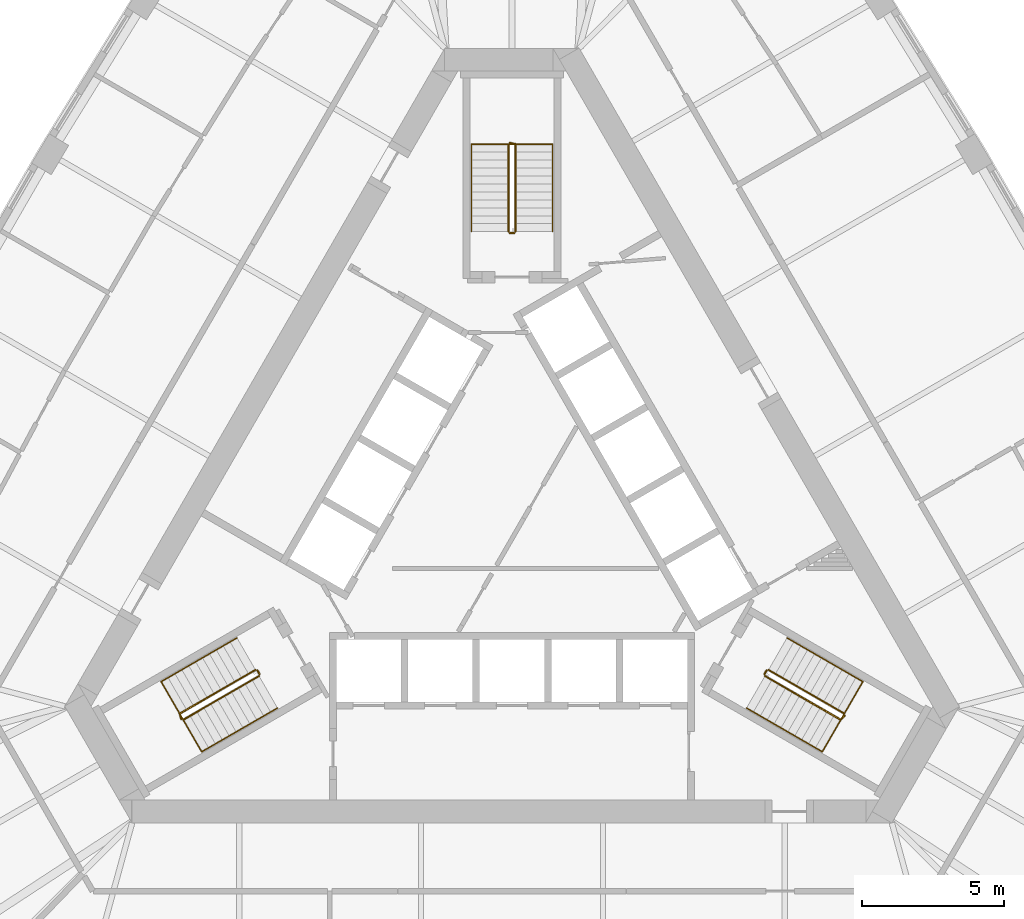
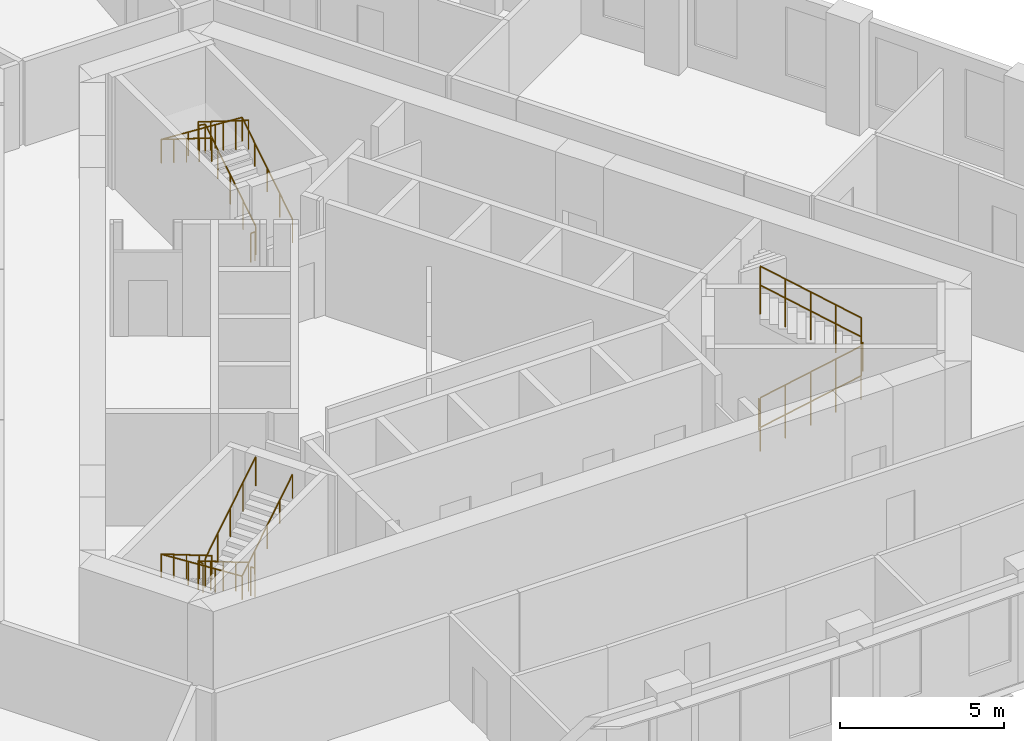
# One storey, part 11 of 11: 12 railings.
"""IFC4 building model written with IfcOpenShell, lengths in metres."""

from ifc_helpers import new_model, si_unit, direction, frame, origin, origin_2d, place, context, subcontext, project, spatial, circle, extrude, material, type_object, element, save


model = new_model("IFC4")

# Units and contexts
model_context = context("Model", 3, precision=1e-05, world=origin(), true_north=direction((0.0, 1.0)))
body_context = subcontext(model_context, "Body", "Model", "MODEL_VIEW")
ifc_project = project(units=[si_unit("LENGTHUNIT", "METRE"), si_unit("AREAUNIT", "SQUARE_METRE"), si_unit("VOLUMEUNIT", "CUBIC_METRE"), si_unit("PLANEANGLEUNIT", "RADIAN"), si_unit("MASSUNIT", "GRAM", prefix="KILO")], contexts=[model_context])

# Site, building, storey
site_placement = place(None, origin())
site = spatial("IfcSite", under=ifc_project, at=site_placement, CompositionType="ELEMENT")
building_placement = place(site_placement, origin())
building = spatial("IfcBuilding", under=site, at=building_placement, Name="Mestral Congress Tower", CompositionType="ELEMENT")
storey_placement = place(building_placement, frame((0.0, 0.0, 171.0)))
storey = spatial("IfcBuildingStorey", under=building, at=storey_placement, Name="L40", CompositionType="ELEMENT", Elevation=171.0)

# Railings
ifc_material_1 = material(Name="Steel balustrade", Category="steel")
railing_type_1 = type_object("IfcRailingType", Name="Stair guard 1100", PredefinedType="GUARDRAIL", material=ifc_material_1)
railing_1_placement = place(storey_placement, frame((8.90087890625, -5.283203125, 0.175048828125)))
element("IfcRailing", 1, at=railing_1_placement, inside=storey, type_object=railing_type_1, Name="L40 ST1 stair guard 1", PredefinedType="GUARDRAIL", context=body_context, shape_type="SweptSolid", body=[
    extrude(circle(Radius=0.02392578125, at=origin_2d()), frame((0.0, 0.0, 1.076171875), z_axis=(0.734364028329, -0.424015404183, 0.530019255228), x_axis=(0.500026652407, 0.866010015463, 0.0)), (0.0, 0.0, 1.0), 3.632080078125),
    extrude(circle(Radius=0.02392578125, at=origin_2d()), frame((2.667236328125, -1.5400390625, 3.0009765625), z_axis=(0.695164929852, 0.718850276695, 0.0), x_axis=(-0.718850276695, 0.695164929852, 0.0)), (0.0, 0.0, 1.0), 0.2060546875),
    extrude(circle(Radius=0.02099609375, at=origin_2d()), origin(), (0.0, 0.0, 1.0), 1.052001953125),
    extrude(circle(Radius=0.02099609375, at=origin_2d()), frame((0.666748046875, -0.385009765625, 0.481201171875)), (0.0, 0.0, 1.0), 1.052001953125),
    extrude(circle(Radius=0.02099609375, at=origin_2d()), frame((1.33349609375, -0.77001953125, 0.96240234375)), (0.0, 0.0, 1.0), 1.052001953125),
    extrude(circle(Radius=0.02099609375, at=origin_2d()), frame((2.00048828125, -1.155029296875, 1.44384765625)), (0.0, 0.0, 1.0), 1.052001953125),
    extrude(circle(Radius=0.02099609375, at=origin_2d()), frame((2.667236328125, -1.5400390625, 1.925048828125)), (0.0, 0.0, 1.0), 1.052001953125),
    extrude(circle(Radius=0.02099609375, at=origin_2d()), frame((2.810546875, -1.391845703125, 1.925048828125)), (0.0, 0.0, 1.0), 1.052001953125),
])
railing_2_placement = place(storey_placement, frame((11.693115234375, -6.606689453125, 2.27490234375)))
element("IfcRailing", 2, at=railing_2_placement, inside=storey, type_object=railing_type_1, Name="L40 ST1 stair guard 2", PredefinedType="GUARDRAIL", context=body_context, shape_type="SweptSolid", body=[
    extrude(circle(Radius=0.02392578125, at=origin_2d()), frame((0.0, 0.0, 1.076171875), z_axis=(-0.734364028329, 0.424015404183, 0.530019255228), x_axis=(-0.500026652407, -0.866010015463, 0.0)), (0.0, 0.0, 1.0), 3.632080078125),
    extrude(circle(Radius=0.02099609375, at=origin_2d()), origin(), (0.0, 0.0, 1.0), 1.052001953125),
    extrude(circle(Radius=0.02099609375, at=origin_2d()), frame((-0.666748046875, 0.385009765625, 0.481201171875)), (0.0, 0.0, 1.0), 1.052001953125),
    extrude(circle(Radius=0.02099609375, at=origin_2d()), frame((-1.33349609375, 0.77001953125, 0.96240234375)), (0.0, 0.0, 1.0), 1.052001953125),
    extrude(circle(Radius=0.02099609375, at=origin_2d()), frame((-2.00048828125, 1.155029296875, 1.44384765625)), (0.0, 0.0, 1.0), 1.052001953125),
    extrude(circle(Radius=0.02099609375, at=origin_2d()), frame((-2.667236328125, 1.5400390625, 1.925048828125)), (0.0, 0.0, 1.0), 1.052001953125),
])
railing_3_placement = place(storey_placement, frame((8.882568359375, -5.21484375, 0.0)))
element("IfcRailing", 3, at=railing_3_placement, inside=storey, type_object=railing_type_1, Name="L40 ST1 stair guard 3", PredefinedType="GUARDRAIL", context=body_context, shape_type="SweptSolid", body=[
    extrude(circle(Radius=0.02392578125, at=origin_2d()), frame((0.0, 0.0, 1.076171875), z_axis=(0.499816412211, 0.866131372301, 0.0), x_axis=(-0.866131372301, 0.499816412211, 0.0)), (0.0, 0.0, 1.0), 0.14990234375),
    extrude(circle(Radius=0.02099609375, at=origin_2d()), origin(), (0.0, 0.0, 1.0), 1.052001953125),
    extrude(circle(Radius=0.02099609375, at=origin_2d()), frame((0.074951171875, 0.1298828125, 0.0)), (0.0, 0.0, 1.0), 1.052001953125),
])
railing_4_placement = place(storey_placement, frame((0.125, 10.35009765625, 0.175048828125)))
element("IfcRailing", 4, at=railing_4_placement, inside=storey, type_object=railing_type_1, Name="L40 ST2 stair guard 1", PredefinedType="GUARDRAIL", context=body_context, shape_type="SweptSolid", body=[
    extrude(circle(Radius=0.02392578125, at=origin_2d()), frame((0.0, 0.0, 1.076171875), z_axis=(0.0, 0.847979421464, 0.530029150871), x_axis=(-1.0, 0.0, 0.0)), (0.0, 0.0, 1.0), 3.632080078125),
    extrude(circle(Radius=0.02392578125, at=origin_2d()), frame((0.0, 3.079833984375, 3.0009765625), z_axis=(-0.970072785993, 0.242814311512, 0.0), x_axis=(-0.242814311512, -0.970072785993, 0.0)), (0.0, 0.0, 1.0), 0.2060546875),
    extrude(circle(Radius=0.02099609375, at=origin_2d()), origin(), (0.0, 0.0, 1.0), 1.052001953125),
    extrude(circle(Radius=0.02099609375, at=origin_2d()), frame((0.0, 0.77001953125, 0.481201171875)), (0.0, 0.0, 1.0), 1.052001953125),
    extrude(circle(Radius=0.02099609375, at=origin_2d()), frame((0.0, 1.5400390625, 0.96240234375)), (0.0, 0.0, 1.0), 1.052001953125),
    extrude(circle(Radius=0.02099609375, at=origin_2d()), frame((0.0, 2.309814453125, 1.44384765625)), (0.0, 0.0, 1.0), 1.052001953125),
    extrude(circle(Radius=0.02099609375, at=origin_2d()), frame((0.0, 3.079833984375, 1.925048828125)), (0.0, 0.0, 1.0), 1.052001953125),
    extrude(circle(Radius=0.02099609375, at=origin_2d()), frame((-0.199951171875, 3.1298828125, 1.925048828125)), (0.0, 0.0, 1.0), 1.052001953125),
])
railing_5_placement = place(storey_placement, frame((-0.125, 13.429931640625, 2.27490234375)))
element("IfcRailing", 5, at=railing_5_placement, inside=storey, type_object=railing_type_1, Name="L40 ST2 stair guard 2", PredefinedType="GUARDRAIL", context=body_context, shape_type="SweptSolid", body=[
    extrude(circle(Radius=0.02392578125, at=origin_2d()), frame((0.0, 0.0, 1.076171875), z_axis=(0.0, -0.847979421464, 0.530029150871), x_axis=(1.0, 0.0, 0.0)), (0.0, 0.0, 1.0), 3.632080078125),
    extrude(circle(Radius=0.02099609375, at=origin_2d()), origin(), (0.0, 0.0, 1.0), 1.052001953125),
    extrude(circle(Radius=0.02099609375, at=origin_2d()), frame((0.0, -0.77001953125, 0.481201171875)), (0.0, 0.0, 1.0), 1.052001953125),
    extrude(circle(Radius=0.02099609375, at=origin_2d()), frame((0.0, -1.5400390625, 0.96240234375)), (0.0, 0.0, 1.0), 1.052001953125),
    extrude(circle(Radius=0.02099609375, at=origin_2d()), frame((0.0, -2.309814453125, 1.44384765625)), (0.0, 0.0, 1.0), 1.052001953125),
    extrude(circle(Radius=0.02099609375, at=origin_2d()), frame((0.0, -3.079833984375, 1.925048828125)), (0.0, 0.0, 1.0), 1.052001953125),
])
railing_6_placement = place(storey_placement, frame((0.074951171875, 10.300048828125, 0.0)))
element("IfcRailing", 6, at=railing_6_placement, inside=storey, type_object=railing_type_1, Name="L40 ST2 stair guard 3", PredefinedType="GUARDRAIL", context=body_context, shape_type="SweptSolid", body=[
    extrude(circle(Radius=0.02392578125, at=origin_2d()), frame((0.0, 0.0, 1.076171875), z_axis=(-1.0, 0.0, 0.0), x_axis=(0.0, -1.0, 0.0)), (0.0, 0.0, 1.0), 0.14990234375),
    extrude(circle(Radius=0.02099609375, at=origin_2d()), origin(), (0.0, 0.0, 1.0), 1.052001953125),
    extrude(circle(Radius=0.02099609375, at=origin_2d()), frame((-0.14990234375, 0.0, 0.0)), (0.0, 0.0, 1.0), 1.052001953125),
])
railing_7_placement = place(storey_placement, frame((-9.02587890625, -5.066650390625, 0.175048828125)))
element("IfcRailing", 7, at=railing_7_placement, inside=storey, type_object=railing_type_1, Name="L40 ST3 stair guard 1", PredefinedType="GUARDRAIL", context=body_context, shape_type="SweptSolid", body=[
    extrude(circle(Radius=0.02392578125, at=origin_2d()), frame((0.0, 0.0, 1.076171875), z_axis=(-0.734364028329, -0.424015404183, 0.530019255228), x_axis=(0.500026652407, -0.866010015463, 0.0)), (0.0, 0.0, 1.0), 3.632080078125),
    extrude(circle(Radius=0.02392578125, at=origin_2d()), frame((-2.667236328125, -1.5400390625, 3.0009765625), z_axis=(0.274721127897, -0.961523947641, 0.0), x_axis=(0.961523947641, 0.274721127897, 0.0)), (0.0, 0.0, 1.0), 0.2060546875),
    extrude(circle(Radius=0.02099609375, at=origin_2d()), origin(), (0.0, 0.0, 1.0), 1.052001953125),
    extrude(circle(Radius=0.02099609375, at=origin_2d()), frame((-0.666748046875, -0.385009765625, 0.481201171875)), (0.0, 0.0, 1.0), 1.052001953125),
    extrude(circle(Radius=0.02099609375, at=origin_2d()), frame((-1.33349609375, -0.77001953125, 0.96240234375)), (0.0, 0.0, 1.0), 1.052001953125),
    extrude(circle(Radius=0.02099609375, at=origin_2d()), frame((-2.00048828125, -1.155029296875, 1.44384765625)), (0.0, 0.0, 1.0), 1.052001953125),
    extrude(circle(Radius=0.02099609375, at=origin_2d()), frame((-2.667236328125, -1.5400390625, 1.925048828125)), (0.0, 0.0, 1.0), 1.052001953125),
    extrude(circle(Radius=0.02099609375, at=origin_2d()), frame((-2.610595703125, -1.73828125, 1.925048828125)), (0.0, 0.0, 1.0), 1.052001953125),
])
railing_8_placement = place(storey_placement, frame((-11.568115234375, -6.8232421875, 2.27490234375)))
element("IfcRailing", 8, at=railing_8_placement, inside=storey, type_object=railing_type_1, Name="L40 ST3 stair guard 2", PredefinedType="GUARDRAIL", context=body_context, shape_type="SweptSolid", body=[
    extrude(circle(Radius=0.02392578125, at=origin_2d()), frame((0.0, 0.0, 1.076171875), z_axis=(0.734364028329, 0.424015404183, 0.530019255228), x_axis=(-0.500026652407, 0.866010015463, 0.0)), (0.0, 0.0, 1.0), 3.632080078125),
    extrude(circle(Radius=0.02099609375, at=origin_2d()), origin(), (0.0, 0.0, 1.0), 1.052001953125),
    extrude(circle(Radius=0.02099609375, at=origin_2d()), frame((0.666748046875, 0.385009765625, 0.481201171875)), (0.0, 0.0, 1.0), 1.052001953125),
    extrude(circle(Radius=0.02099609375, at=origin_2d()), frame((1.33349609375, 0.77001953125, 0.96240234375)), (0.0, 0.0, 1.0), 1.052001953125),
    extrude(circle(Radius=0.02099609375, at=origin_2d()), frame((2.00048828125, 1.155029296875, 1.44384765625)), (0.0, 0.0, 1.0), 1.052001953125),
    extrude(circle(Radius=0.02099609375, at=origin_2d()), frame((2.667236328125, 1.5400390625, 1.925048828125)), (0.0, 0.0, 1.0), 1.052001953125),
])
railing_9_placement = place(storey_placement, frame((-8.95751953125, -5.0849609375, 0.0)))
element("IfcRailing", 9, at=railing_9_placement, inside=storey, type_object=railing_type_1, Name="L40 ST3 stair guard 3", PredefinedType="GUARDRAIL", context=body_context, shape_type="SweptSolid", body=[
    extrude(circle(Radius=0.02392578125, at=origin_2d()), frame((0.0, 0.0, 1.076171875), z_axis=(0.499816412211, -0.866131372301, 0.0), x_axis=(0.866131372301, 0.499816412211, 0.0)), (0.0, 0.0, 1.0), 0.14990234375),
    extrude(circle(Radius=0.02099609375, at=origin_2d()), origin(), (0.0, 0.0, 1.0), 1.052001953125),
    extrude(circle(Radius=0.02099609375, at=origin_2d()), frame((0.074951171875, -0.1298828125, 0.0)), (0.0, 0.0, 1.0), 1.052001953125),
])
ifc_material_2 = material(Name="Steel handrail", Category="steel")
railing_type_2 = type_object("IfcRailingType", Name="Stair handrail 900", PredefinedType="HANDRAIL", material=ifc_material_2)
railing_10_placement = place(storey_placement, frame((8.2509765625, -6.4091796875, 0.175048828125)))
element("IfcRailing", 10, at=railing_10_placement, inside=storey, type_object=railing_type_2, Name="L40 ST1 stair handrail 1", PredefinedType="HANDRAIL", context=body_context, shape_type="SweptSolid", body=[
    extrude(circle(Radius=0.02392578125, at=origin_2d()), frame((0.0, 0.0, 0.8759765625), z_axis=(0.734384958227, -0.423960268333, 0.530034361155), x_axis=(0.499967199496, 0.866044340336, 0.0)), (0.0, 0.0, 1.0), 3.6318359375),
    extrude(circle(Radius=0.02392578125, at=origin_2d()), frame((2.667236328125, -1.539794921875, 2.80078125), z_axis=(0.499098383545, 0.864379914213, 0.061222279016), x_axis=(-0.866004402611, 0.500036373335, 0.0)), (0.0, 0.0, 1.0), 2.855224609375),
    extrude(circle(Radius=0.02392578125, at=origin_2d()), frame((4.09228515625, 0.92822265625, 2.9755859375), z_axis=(-0.734394994316, 0.423994474112, 0.52999309264), x_axis=(-0.499992328818, -0.866029832698, 0.0)), (0.0, 0.0, 1.0), 3.63232421875),
    extrude(circle(Radius=0.02099609375, at=origin_2d()), origin(), (0.0, 0.0, 1.0), 0.851806640625),
    extrude(circle(Radius=0.02099609375, at=origin_2d()), frame((0.666748046875, -0.385009765625, 0.481201171875)), (0.0, 0.0, 1.0), 0.851806640625),
    extrude(circle(Radius=0.02099609375, at=origin_2d()), frame((1.33349609375, -0.77001953125, 0.96240234375)), (0.0, 0.0, 1.0), 0.851806640625),
    extrude(circle(Radius=0.02099609375, at=origin_2d()), frame((2.00048828125, -1.15478515625, 1.44384765625)), (0.0, 0.0, 1.0), 0.851806640625),
    extrude(circle(Radius=0.02099609375, at=origin_2d()), frame((2.667236328125, -1.539794921875, 1.925048828125)), (0.0, 0.0, 1.0), 0.851806640625),
    extrude(circle(Radius=0.02099609375, at=origin_2d()), frame((3.142333984375, -0.717041015625, 1.9833984375)), (0.0, 0.0, 1.0), 0.851806640625),
    extrude(circle(Radius=0.02099609375, at=origin_2d()), frame((3.6171875, 0.10546875, 2.04150390625)), (0.0, 0.0, 1.0), 0.851806640625),
    extrude(circle(Radius=0.02099609375, at=origin_2d()), frame((4.09228515625, 0.92822265625, 2.099853515625)), (0.0, 0.0, 1.0), 0.851806640625),
    extrude(circle(Radius=0.02099609375, at=origin_2d()), frame((3.42529296875, 1.313232421875, 2.5810546875)), (0.0, 0.0, 1.0), 0.851806640625),
    extrude(circle(Radius=0.02099609375, at=origin_2d()), frame((2.758544921875, 1.6982421875, 3.0625)), (0.0, 0.0, 1.0), 0.851806640625),
    extrude(circle(Radius=0.02099609375, at=origin_2d()), frame((2.091796875, 2.083251953125, 3.543701171875)), (0.0, 0.0, 1.0), 0.851806640625),
    extrude(circle(Radius=0.02099609375, at=origin_2d()), frame((1.4248046875, 2.46826171875, 4.02490234375)), (0.0, 0.0, 1.0), 0.851806640625),
])
railing_11_placement = place(storey_placement, frame((1.425048828125, 10.35009765625, 0.175048828125)))
element("IfcRailing", 11, at=railing_11_placement, inside=storey, type_object=railing_type_2, Name="L40 ST2 stair handrail 1", PredefinedType="HANDRAIL", context=body_context, shape_type="SweptSolid", body=[
    extrude(circle(Radius=0.02392578125, at=origin_2d()), frame((0.0, 0.0, 0.8759765625), z_axis=(0.0, 0.847979421464, 0.530029150871), x_axis=(-1.0, 0.0, 0.0)), (0.0, 0.0, 1.0), 3.632080078125),
    extrude(circle(Radius=0.02392578125, at=origin_2d()), frame((0.0, 3.079833984375, 2.80078125), z_axis=(-0.998124429008, 0.0, 0.061217842314), x_axis=(0.0, -1.0, 0.0)), (0.0, 0.0, 1.0), 2.85546875),
    extrude(circle(Radius=0.02392578125, at=origin_2d()), frame((-2.85009765625, 3.079833984375, 2.9755859375), z_axis=(0.0, -0.847979421464, 0.530029150871), x_axis=(1.0, 0.0, 0.0)), (0.0, 0.0, 1.0), 3.632080078125),
    extrude(circle(Radius=0.02099609375, at=origin_2d()), origin(), (0.0, 0.0, 1.0), 0.851806640625),
    extrude(circle(Radius=0.02099609375, at=origin_2d()), frame((0.0, 0.77001953125, 0.481201171875)), (0.0, 0.0, 1.0), 0.851806640625),
    extrude(circle(Radius=0.02099609375, at=origin_2d()), frame((0.0, 1.5400390625, 0.96240234375)), (0.0, 0.0, 1.0), 0.851806640625),
    extrude(circle(Radius=0.02099609375, at=origin_2d()), frame((0.0, 2.309814453125, 1.44384765625)), (0.0, 0.0, 1.0), 0.851806640625),
    extrude(circle(Radius=0.02099609375, at=origin_2d()), frame((0.0, 3.079833984375, 1.925048828125)), (0.0, 0.0, 1.0), 0.851806640625),
    extrude(circle(Radius=0.02099609375, at=origin_2d()), frame((-0.949951171875, 3.079833984375, 1.9833984375)), (0.0, 0.0, 1.0), 0.851806640625),
    extrude(circle(Radius=0.02099609375, at=origin_2d()), frame((-1.900146484375, 3.079833984375, 2.04150390625)), (0.0, 0.0, 1.0), 0.851806640625),
    extrude(circle(Radius=0.02099609375, at=origin_2d()), frame((-2.85009765625, 3.079833984375, 2.099853515625)), (0.0, 0.0, 1.0), 0.851806640625),
    extrude(circle(Radius=0.02099609375, at=origin_2d()), frame((-2.85009765625, 2.309814453125, 2.5810546875)), (0.0, 0.0, 1.0), 0.851806640625),
    extrude(circle(Radius=0.02099609375, at=origin_2d()), frame((-2.85009765625, 1.5400390625, 3.0625)), (0.0, 0.0, 1.0), 0.851806640625),
    extrude(circle(Radius=0.02099609375, at=origin_2d()), frame((-2.85009765625, 0.77001953125, 3.543701171875)), (0.0, 0.0, 1.0), 0.851806640625),
    extrude(circle(Radius=0.02099609375, at=origin_2d()), frame((-2.85009765625, 0.0, 4.02490234375)), (0.0, 0.0, 1.0), 0.851806640625),
])
railing_12_placement = place(storey_placement, frame((-9.67578125, -3.94091796875, 0.175048828125)))
element("IfcRailing", 12, at=railing_12_placement, inside=storey, type_object=railing_type_2, Name="L40 ST3 stair handrail 1", PredefinedType="HANDRAIL", context=body_context, shape_type="SweptSolid", body=[
    extrude(circle(Radius=0.02392578125, at=origin_2d()), frame((0.0, 0.0, 0.8759765625), z_axis=(-0.734394994316, -0.423994474112, 0.52999309264), x_axis=(0.499992328818, -0.866029832698, 0.0)), (0.0, 0.0, 1.0), 3.63232421875),
    extrude(circle(Radius=0.02392578125, at=origin_2d()), frame((-2.66748046875, -1.5400390625, 2.80078125), z_axis=(0.499098383545, -0.864379914213, 0.061222279016), x_axis=(0.866004402611, 0.500036373335, 0.0)), (0.0, 0.0, 1.0), 2.855224609375),
    extrude(circle(Radius=0.02392578125, at=origin_2d()), frame((-1.242431640625, -4.008056640625, 2.9755859375), z_axis=(0.734384958227, 0.423960268333, 0.530034361155), x_axis=(-0.499967199496, 0.866044340336, 0.0)), (0.0, 0.0, 1.0), 3.6318359375),
    extrude(circle(Radius=0.02099609375, at=origin_2d()), origin(), (0.0, 0.0, 1.0), 0.851806640625),
    extrude(circle(Radius=0.02099609375, at=origin_2d()), frame((-0.6669921875, -0.385009765625, 0.481201171875)), (0.0, 0.0, 1.0), 0.851806640625),
    extrude(circle(Radius=0.02099609375, at=origin_2d()), frame((-1.333740234375, -0.77001953125, 0.96240234375)), (0.0, 0.0, 1.0), 0.851806640625),
    extrude(circle(Radius=0.02099609375, at=origin_2d()), frame((-2.00048828125, -1.155029296875, 1.44384765625)), (0.0, 0.0, 1.0), 0.851806640625),
    extrude(circle(Radius=0.02099609375, at=origin_2d()), frame((-2.66748046875, -1.5400390625, 1.925048828125)), (0.0, 0.0, 1.0), 0.851806640625),
    extrude(circle(Radius=0.02099609375, at=origin_2d()), frame((-2.1923828125, -2.36279296875, 1.9833984375)), (0.0, 0.0, 1.0), 0.851806640625),
    extrude(circle(Radius=0.02099609375, at=origin_2d()), frame((-1.717529296875, -3.185302734375, 2.04150390625)), (0.0, 0.0, 1.0), 0.851806640625),
    extrude(circle(Radius=0.02099609375, at=origin_2d()), frame((-1.242431640625, -4.008056640625, 2.099853515625)), (0.0, 0.0, 1.0), 0.851806640625),
    extrude(circle(Radius=0.02099609375, at=origin_2d()), frame((-0.57568359375, -3.623046875, 2.5810546875)), (0.0, 0.0, 1.0), 0.851806640625),
    extrude(circle(Radius=0.02099609375, at=origin_2d()), frame((0.09130859375, -3.23828125, 3.0625)), (0.0, 0.0, 1.0), 0.851806640625),
    extrude(circle(Radius=0.02099609375, at=origin_2d()), frame((0.758056640625, -2.853271484375, 3.543701171875)), (0.0, 0.0, 1.0), 0.851806640625),
    extrude(circle(Radius=0.02099609375, at=origin_2d()), frame((1.4248046875, -2.46826171875, 4.02490234375)), (0.0, 0.0, 1.0), 0.851806640625),
])

save(model, "model.ifc")
